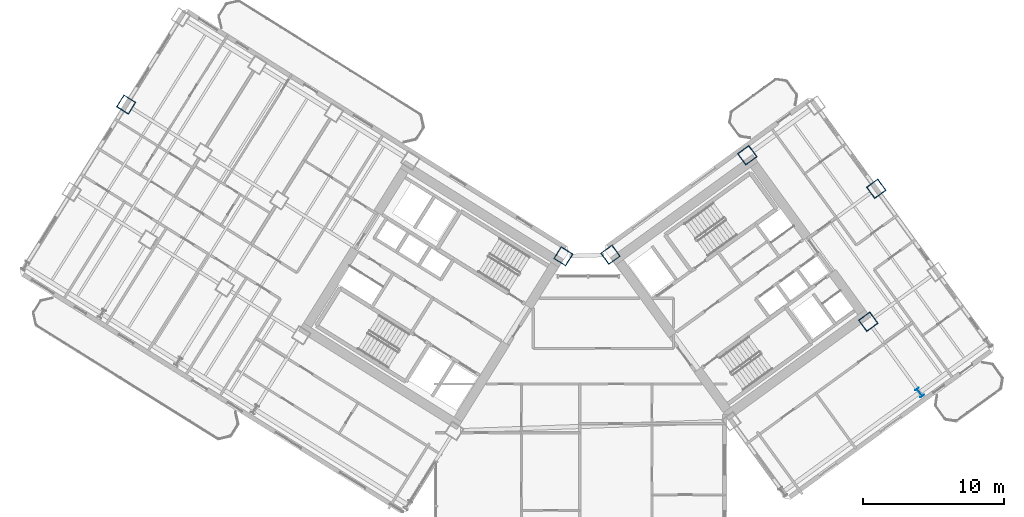
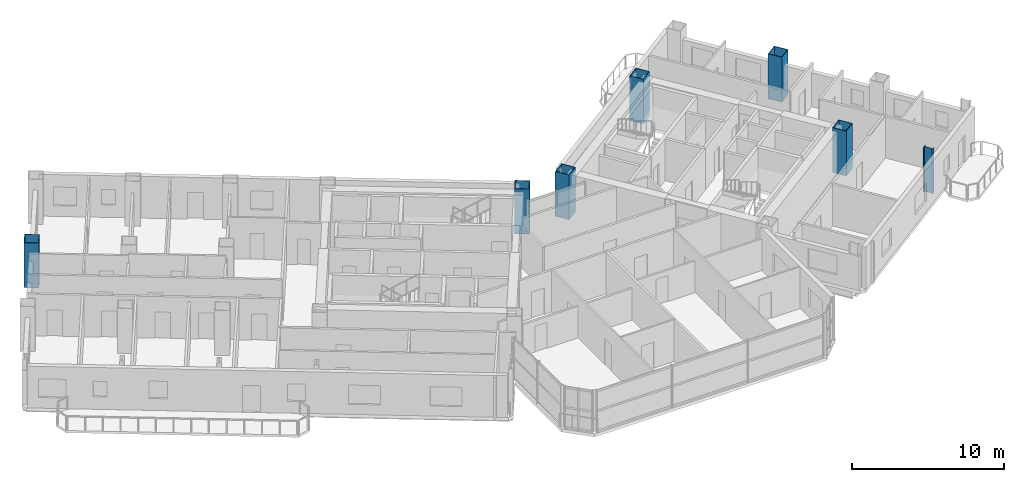
# One storey, part 2 of 24: 7 columns.
"""IFC4 building model written with IfcOpenShell, lengths in metres."""

from ifc_helpers import new_model, si_unit, direction, frame, origin, origin_2d, place, context, subcontext, project, spatial, hollow_rectangle, i_section, extrude, source, transform, mapped, material, material_profile, profile_set, type_object, element, save


model = new_model("IFC4")

# Units and contexts
model_context = context("Model", 3, precision=1e-05, world=origin(), true_north=direction((0.0, 1.0)))
body_context = subcontext(model_context, "Body", "Model", "MODEL_VIEW")
ifc_project = project(units=[si_unit("LENGTHUNIT", "METRE"), si_unit("AREAUNIT", "SQUARE_METRE"), si_unit("VOLUMEUNIT", "CUBIC_METRE"), si_unit("PLANEANGLEUNIT", "RADIAN"), si_unit("MASSUNIT", "GRAM", prefix="KILO")], contexts=[model_context])

# Site, building, storey
site_placement = place(None, origin())
site = spatial("IfcSite", under=ifc_project, at=site_placement, CompositionType="ELEMENT")
building_placement = place(site_placement, origin())
building = spatial("IfcBuilding", under=site, at=building_placement, Name="Tlacorven Tower", CompositionType="ELEMENT")
storey_placement = place(building_placement, frame((0.0, 0.0, 60.0)))
storey = spatial("IfcBuildingStorey", under=building, at=storey_placement, Name="L15", CompositionType="ELEMENT", Elevation=60.0)

# Columns
ifc_material = material(Name="Steel S460M", Category="steel")
ifc_material_profile_1 = material_profile(ifc_material, hollow_rectangle(XDim=1.0, YDim=1.0, WallThickness=0.0400390625, at=origin_2d()), Name="BOX 1000X1000X40")
ifc_profile_set_1 = profile_set([ifc_material_profile_1], Name="Steel S460M")
column_type_1 = type_object("IfcColumnType", Name="COL-TWR-S1", PredefinedType="COLUMN", material=ifc_profile_set_1)
shared_shape_1 = source(origin(), body_context, "Body", "SweptSolid", [
    extrude(hollow_rectangle(XDim=1.0, YDim=1.0, WallThickness=0.0400390625, at=origin_2d()), origin(), (0.0, 0.0, 1.0), 3.60009765625),
])
for number, where, z_axis, x_axis, name in (
    (1, (40.782958984375, 24.468505859375, 0.0), (0.0, 0.0, 1.0), (-0.848048096156, 0.529919264233, 0.0), "L15 column COL-L15-W1-1"),
    (2, (9.777099609375, 35.235107421875, 0.0), (0.0, 0.0, 1.0), (-0.848048096156, 0.529919264233, 0.0), "L15 column COL-L15-W6-2"),
    (3, (44.123779296875, 24.5849609375, 0.0), (0.0, 0.0, 1.0), (0.809016994375, 0.587785252292, 0.0), "L15 column COL-L15-E1-4"),
    (4, (62.41357421875, 19.826904296875, 0.0), (0.0, 0.0, 1.0), (0.809016994375, 0.587785252292, 0.0), "L15 column COL-L15-E3-2"),
    (5, (53.83203125, 31.638427734375, 0.0), (0.0, 0.0, 1.0), (0.809016994375, 0.587785252292, 0.0), "L15 column COL-L15-E3-4"),
    (6, (62.976806640625, 29.25927734375, 0.0), (0.0, 0.0, 1.0), (0.809016994375, 0.587785252292, 0.0), "L15 column COL-L15-E4-3"),
):
    element("IfcColumn", number, at=place(storey_placement, frame(where, z_axis=z_axis, x_axis=x_axis)), inside=storey, type_object=column_type_1, Name=name, PredefinedType="COLUMN", context=body_context, shape_type="MappedRepresentation", body=[
        mapped(shared_shape_1, transform((0.0, 0.0, 0.0), scale=1.0)),
    ])
ifc_material_profile_2 = material_profile(ifc_material, i_section(OverallWidth=0.300048828125, OverallDepth=0.64990234375, WebThickness=0.01611328125, FlangeThickness=0.031005859375, at=origin_2d()), Name="HEB 650")
ifc_profile_set_2 = profile_set([ifc_material_profile_2], Name="Steel S460M")
column_type_2 = type_object("IfcColumnType", Name="COL-TWR-P1", PredefinedType="COLUMN", material=ifc_profile_set_2)
shared_shape_2 = source(origin(), body_context, "Body", "SweptSolid", [
    extrude(i_section(OverallWidth=0.300048828125, OverallDepth=0.64990234375, WebThickness=0.01611328125, FlangeThickness=0.031005859375, at=origin_2d()), origin(), (0.0, 0.0, 1.0), 3.60009765625),
])
column_placement = place(storey_placement, frame((66.057861328125, 14.81103515625, 0.0), z_axis=(0.0, 0.0, 1.0), x_axis=(0.809016994375, 0.587785252292, 0.0)))
element("IfcColumn", 7, at=column_placement, inside=storey, type_object=column_type_2, Name="L15 column COL-L15-E3-1", PredefinedType="COLUMN", context=body_context, shape_type="MappedRepresentation", body=[
    mapped(shared_shape_2, transform((0.0, 0.0, 0.0), scale=1.0)),
])

save(model, "model.ifc")
